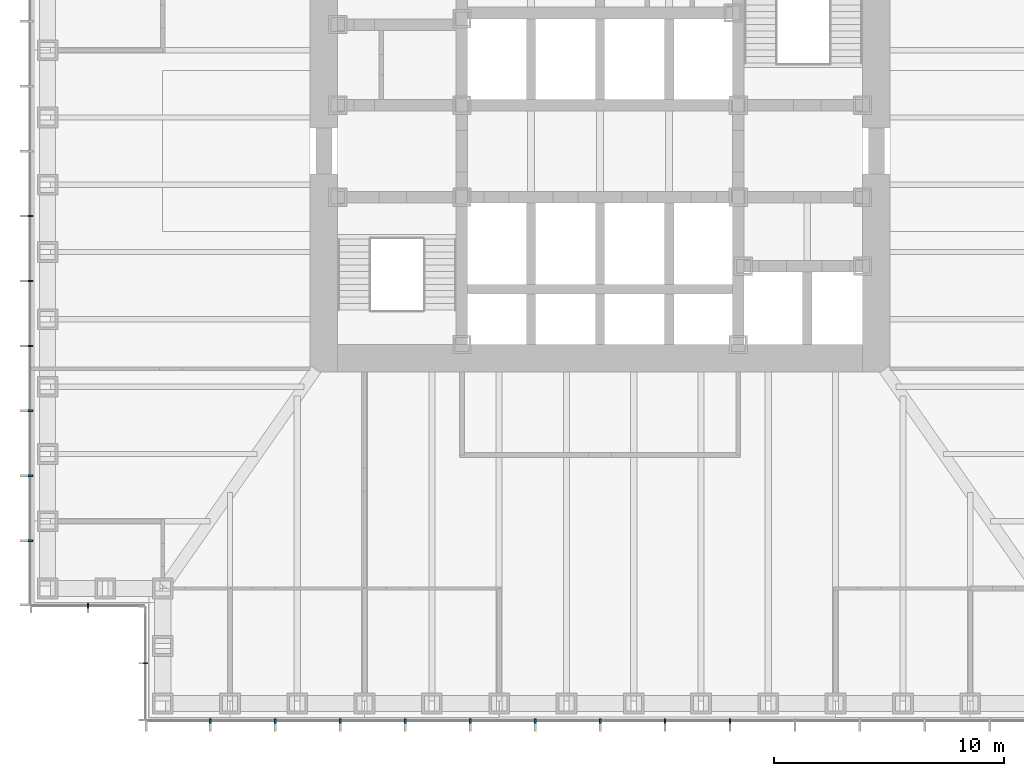
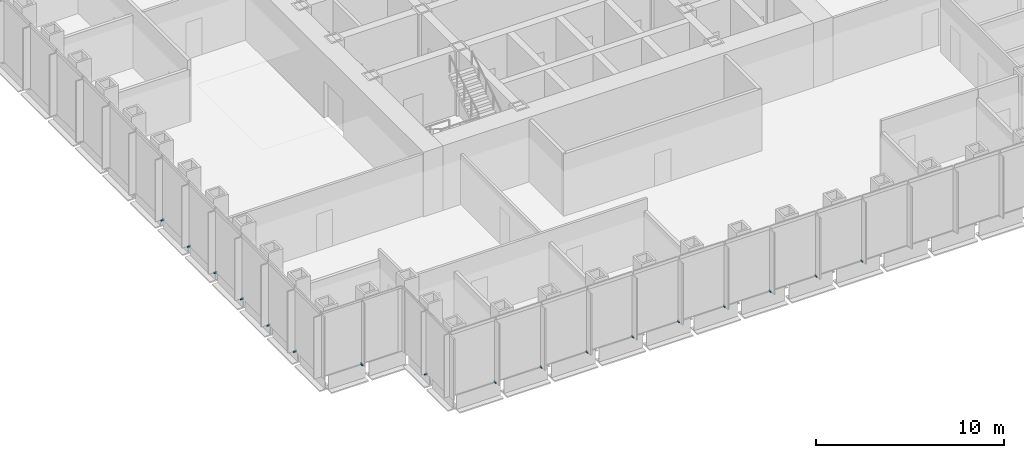
# One storey, part 12 of 17: 17 discrete accessories.
"""IFC4 building model written with IfcOpenShell, lengths in metres."""

from ifc_helpers import new_model, si_unit, direction, frame, origin, origin_2d, place, context, subcontext, project, spatial, rectangle, extrude, element, save


model = new_model("IFC4")

# Units and contexts
model_context = context("Model", 3, precision=1e-05, world=origin(), true_north=direction((0.0, 1.0)))
body_context = subcontext(model_context, "Body", "Model", "MODEL_VIEW")
ifc_project = project(units=[si_unit("LENGTHUNIT", "METRE"), si_unit("AREAUNIT", "SQUARE_METRE"), si_unit("VOLUMEUNIT", "CUBIC_METRE"), si_unit("PLANEANGLEUNIT", "RADIAN"), si_unit("MASSUNIT", "GRAM", prefix="KILO")], contexts=[model_context])

# Site, building, storey
site_placement = place(None, origin())
site = spatial("IfcSite", under=ifc_project, at=site_placement, CompositionType="ELEMENT")
building_placement = place(site_placement, origin())
building = spatial("IfcBuilding", under=site, at=building_placement, Name="Daluyong Arena Tower", CompositionType="ELEMENT")
storey_placement = place(building_placement, frame((0.0, 0.0, 85.300048828125)))
storey = spatial("IfcBuildingStorey", under=building, at=storey_placement, Name="L18", CompositionType="ELEMENT", Elevation=85.300048828125)

# Discrete accessories
for number, where, z_axis, x_axis, name in (
    (1, (39.071533203125, 55.25, -0.10009765625), (0.0, 0.0, 1.0), (1.0, 0.0, 0.0), "curtain wall L18 S anchor bracket 2"),
    (2, (41.892822265625, 55.25, -0.10009765625), (0.0, 0.0, 1.0), (1.0, 0.0, 0.0), "curtain wall L18 S anchor bracket 3"),
    (3, (44.71435546875, 55.25, -0.10009765625), (0.0, 0.0, 1.0), (1.0, 0.0, 0.0), "curtain wall L18 S anchor bracket 4"),
    (4, (47.53564453125, 55.25, -0.10009765625), (0.0, 0.0, 1.0), (1.0, 0.0, 0.0), "curtain wall L18 S anchor bracket 5"),
    (5, (50.357177734375, 55.25, -0.10009765625), (0.0, 0.0, 1.0), (1.0, 0.0, 0.0), "curtain wall L18 S anchor bracket 6"),
    (6, (53.178466796875, 55.25, -0.10009765625), (0.0, 0.0, 1.0), (1.0, 0.0, 0.0), "curtain wall L18 S anchor bracket 7"),
    (7, (56.0, 55.25, -0.10009765625), (0.0, 0.0, 1.0), (1.0, 0.0, 0.0), "curtain wall L18 S anchor bracket 8"),
    (8, (58.821533203125, 55.25, -0.10009765625), (0.0, 0.0, 1.0), (1.0, 0.0, 0.0), "curtain wall L18 S anchor bracket 9"),
    (9, (61.642822265625, 55.25, -0.10009765625), (0.0, 0.0, 1.0), (1.0, 0.0, 0.0), "curtain wall L18 S anchor bracket 10"),
    (10, (31.25, 77.178466796875, -0.10009765625), (0.0, 0.0, 1.0), (0.0, -1.0, 0.0), "curtain wall L18 W anchor bracket 9"),
    (11, (31.25, 74.357177734375, -0.10009765625), (0.0, 0.0, 1.0), (0.0, -1.0, 0.0), "curtain wall L18 W anchor bracket 10"),
    (12, (31.25, 71.53564453125, -0.10009765625), (0.0, 0.0, 1.0), (0.0, -1.0, 0.0), "curtain wall L18 W anchor bracket 11"),
    (13, (31.25, 68.71435546875, -0.10009765625), (0.0, 0.0, 1.0), (0.0, -1.0, 0.0), "curtain wall L18 W anchor bracket 12"),
    (14, (31.25, 65.892822265625, -0.10009765625), (0.0, 0.0, 1.0), (0.0, -1.0, 0.0), "curtain wall L18 W anchor bracket 13"),
    (15, (31.25, 63.071533203125, -0.10009765625), (0.0, 0.0, 1.0), (0.0, -1.0, 0.0), "curtain wall L18 W anchor bracket 14"),
):
    element("IfcDiscreteAccessory", number, at=place(storey_placement, frame(where, z_axis=z_axis, x_axis=x_axis)), inside=storey, Name=name, PredefinedType="BRACKET", context=body_context, shape_type="SweptSolid", body=[
        extrude(rectangle(XDim=0.080078125, YDim=0.199951171875, at=origin_2d()), origin(), (0.0, 0.0, 1.0), 0.10009765625),
    ])
for number, where, z_axis, x_axis, name in (
    (16, (33.75, 60.25, -0.10009765625), (0.0, 0.0, 1.0), (1.0, 0.0, 0.0), "curtain wall L18 SW-S anchor bracket 2"),
    (17, (36.25, 57.75, -0.10009765625), (0.0, 0.0, 1.0), (0.0, -1.0, 0.0), "curtain wall L18 SW-W anchor bracket 2"),
):
    element("IfcDiscreteAccessory", number, at=place(storey_placement, frame(where, z_axis=z_axis, x_axis=x_axis)), inside=storey, Name=name, PredefinedType="BRACKET", context=body_context, shape_type="SweptSolid", body=[
        extrude(rectangle(XDim=0.06005859375, YDim=0.199951171875, at=origin_2d()), origin(), (0.0, 0.0, 1.0), 0.10009765625),
    ])

save(model, "model.ifc")
